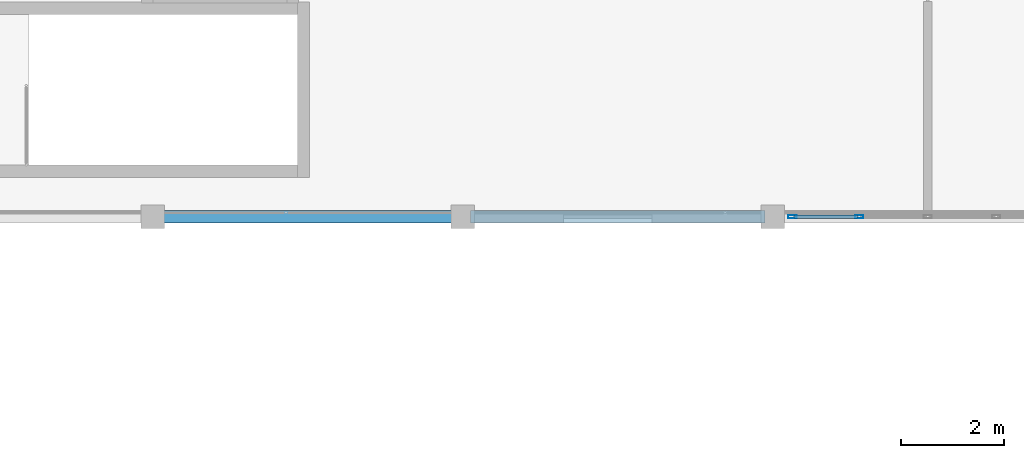
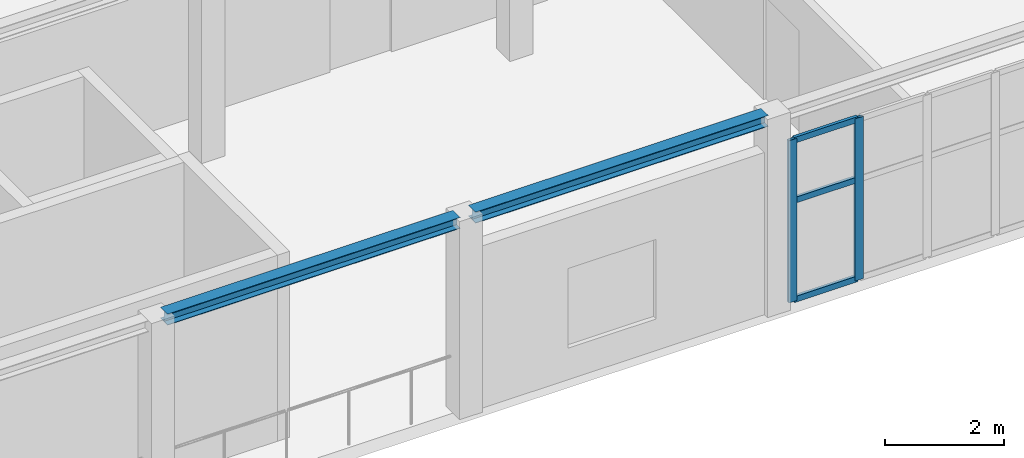
# One storey, part 46 of 128: 5 members, 2 beams, 1 element without a shape of its own.
"""IFC4 building model written with IfcOpenShell, lengths in metres."""

from ifc_helpers import new_model, si_unit, direction, frame, origin, origin_2d, place, context, subcontext, project, spatial, hollow_rectangle, i_section, extrude, material, material_profile, profile_set, type_object, element, aggregate, save


model = new_model("IFC4")

# Units and contexts
model_context = context("Model", 3, precision=1e-05, world=origin(), true_north=direction((0.0, 1.0)))
body_context = subcontext(model_context, "Body", "Model", "MODEL_VIEW")
ifc_project = project(units=[si_unit("LENGTHUNIT", "METRE"), si_unit("AREAUNIT", "SQUARE_METRE"), si_unit("VOLUMEUNIT", "CUBIC_METRE"), si_unit("PLANEANGLEUNIT", "RADIAN"), si_unit("MASSUNIT", "GRAM", prefix="KILO")], contexts=[model_context])

# Site, building, storey
site_placement = place(None, origin())
site = spatial("IfcSite", under=ifc_project, at=site_placement, CompositionType="ELEMENT")
building_placement = place(site_placement, origin())
building = spatial("IfcBuilding", under=site, at=building_placement, Name="Tanwirah Colonnade Gardens", CompositionType="ELEMENT")
storey_placement = place(building_placement, frame((0.0, 0.0, 4.760009765625)))
storey = spatial("IfcBuildingStorey", under=building, at=storey_placement, Name="L01", CompositionType="ELEMENT", Elevation=4.760009765625)

# Curtain wall, members
ifc_material_1 = material(Name="Bronze-anodised aluminium and solar-control low-E glass", Category="aluminium")
curtain_wall_type = type_object("IfcCurtainWallType", Name="CW-NUR", PredefinedType="NOTDEFINED", material=ifc_material_1)
curtain_wall_placement = place(storey_placement, origin())
curtain_wall = element("IfcCurtainWall", 1, at=curtain_wall_placement, inside=storey, type_object=curtain_wall_type, Name="Curtain Wall CW-NUR-L01-S-3", PredefinedType="NOTDEFINED")
ifc_material_2 = material(Name="Bronze-anodised aluminium", Category="aluminium")
ifc_material_profile_1 = material_profile(ifc_material_2, hollow_rectangle(XDim=0.06005859375, YDim=0.159912109375, WallThickness=0.00390625, at=origin_2d()), Name="CW-MUL 60x160x4")
ifc_profile_set_1 = profile_set([ifc_material_profile_1], Name="Bronze-anodised aluminium")
member_type_1 = type_object("IfcMemberType", Name="CWM-60x160", PredefinedType="MULLION", material=ifc_profile_set_1)
member_1_placement = place(storey_placement, frame((96.3798828125, 92.0, 0.0), z_axis=(0.0, 0.0, 1.0), x_axis=(0.0, 1.0, 0.0)))
member_1 = element("IfcMember", 2, at=member_1_placement, type_object=member_type_1, Name="CW-NUR mullion 1", PredefinedType="MULLION", context=body_context, shape_type="SweptSolid", body=[
    extrude(hollow_rectangle(XDim=0.06005859375, YDim=0.159912109375, WallThickness=0.00390625, at=origin_2d()), origin(), (0.0, 0.0, 1.0), 3.340087890625),
])
member_2_placement = place(storey_placement, frame((97.675048828125, 92.0, 0.0), z_axis=(0.0, 0.0, 1.0), x_axis=(0.0, 1.0, 0.0)))
member_2 = element("IfcMember", 3, at=member_2_placement, type_object=member_type_1, Name="CW-NUR mullion 2", PredefinedType="MULLION", context=body_context, shape_type="SweptSolid", body=[
    extrude(hollow_rectangle(XDim=0.06005859375, YDim=0.159912109375, WallThickness=0.00390625, at=origin_2d()), origin(), (0.0, 0.0, 1.0), 3.340087890625),
])
ifc_material_profile_2 = material_profile(ifc_material_2, hollow_rectangle(XDim=0.06005859375, YDim=0.1201171875, WallThickness=0.00390625, at=origin_2d()), Name="CW-TRN 60x120x4")
ifc_profile_set_2 = profile_set([ifc_material_profile_2], Name="Bronze-anodised aluminium")
member_type_2 = type_object("IfcMemberType", Name="CWT-60x120", PredefinedType="USERDEFINED", material=ifc_profile_set_2)
member_3_placement = place(storey_placement, frame((96.409912109375, 92.0, 0.030029296875), z_axis=(1.0, 0.0, 0.0), x_axis=(0.0, 1.0, 0.0)))
member_3 = element("IfcMember", 4, at=member_3_placement, type_object=member_type_2, Name="CW-NUR transom 1.1", ObjectType="TRANSOM", PredefinedType="USERDEFINED", context=body_context, shape_type="SweptSolid", body=[
    extrude(hollow_rectangle(XDim=0.06005859375, YDim=0.1201171875, WallThickness=0.00390625, at=origin_2d()), origin(), (0.0, 0.0, 1.0), 1.235107421875),
])
member_4_placement = place(storey_placement, frame((96.409912109375, 92.0, 2.07080078125), z_axis=(1.0, 0.0, 0.0), x_axis=(0.0, 1.0, 0.0)))
member_4 = element("IfcMember", 5, at=member_4_placement, type_object=member_type_2, Name="CW-NUR transom 1.2", ObjectType="TRANSOM", PredefinedType="USERDEFINED", context=body_context, shape_type="SweptSolid", body=[
    extrude(hollow_rectangle(XDim=0.06005859375, YDim=0.1201171875, WallThickness=0.00390625, at=origin_2d()), origin(), (0.0, 0.0, 1.0), 1.235107421875),
])
member_5_placement = place(storey_placement, frame((96.409912109375, 92.0, 3.31005859375), z_axis=(1.0, 0.0, 0.0), x_axis=(0.0, 1.0, 0.0)))
member_5 = element("IfcMember", 6, at=member_5_placement, type_object=member_type_2, Name="CW-NUR transom 1.3", ObjectType="TRANSOM", PredefinedType="USERDEFINED", context=body_context, shape_type="SweptSolid", body=[
    extrude(hollow_rectangle(XDim=0.06005859375, YDim=0.1201171875, WallThickness=0.00390625, at=origin_2d()), origin(), (0.0, 0.0, 1.0), 1.235107421875),
])
aggregate(curtain_wall, [member_1, member_2, member_3, member_4, member_5])

# Beams
ifc_material_3 = material(Name="Steel S355", Category="steel")
ifc_material_profile_3 = material_profile(ifc_material_3, i_section(OverallWidth=0.239990234375, OverallDepth=0.22998046875, WebThickness=0.007568359375, FlangeThickness=0.011962890625, at=origin_2d()), Name="HEA 240")
ifc_profile_set_3 = profile_set([ifc_material_profile_3], Name="Steel S355")
beam_type = type_object("IfcBeamType", Name="SBM-HEA240", PredefinedType="BEAM", material=ifc_profile_set_3)
for number, where, z_axis, x_axis, name in (
    (7, (84.14990234375, 92.0, 3.965087890625), (1.0, 0.0, 0.0), (0.0, 1.0, 0.0), "Nursery L01 Beam X-1.0"),
    (8, (90.14990234375, 92.0, 3.965087890625), (1.0, 0.0, 0.0), (0.0, 1.0, 0.0), "Nursery L01 Beam X-2.0"),
):
    element("IfcBeam", number, at=place(storey_placement, frame(where, z_axis=z_axis, x_axis=x_axis)), inside=storey, type_object=beam_type, Name=name, PredefinedType="BEAM", context=body_context, shape_type="SweptSolid", body=[
        extrude(i_section(OverallWidth=0.239990234375, OverallDepth=0.22998046875, WebThickness=0.007568359375, FlangeThickness=0.011962890625, at=origin_2d()), origin(), (0.0, 0.0, 1.0), 5.7001953125),
    ])

save(model, "model.ifc")
